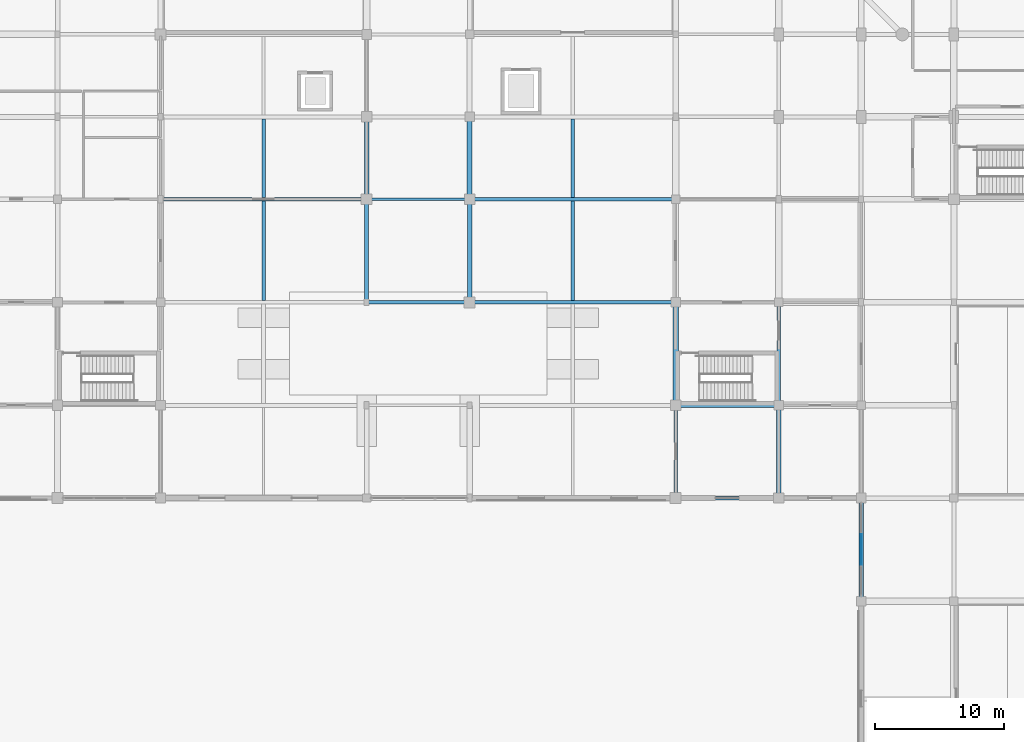
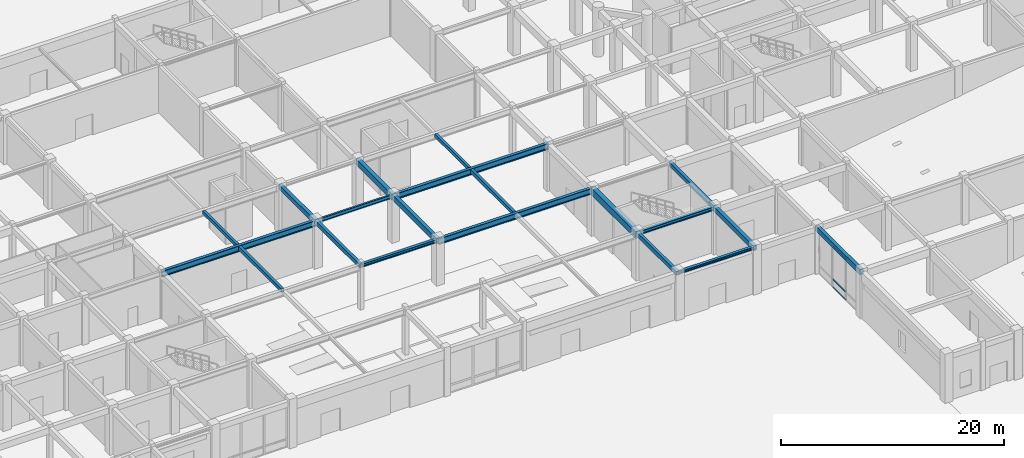
# One storey, part 11 of 40: 20 beams, 3 members, 1 element without a shape of its own.
"""IFC4 building model written with IfcOpenShell, lengths in metres."""

from ifc_helpers import new_model, si_unit, direction, frame, origin, origin_2d, place, context, subcontext, project, spatial, rectangle, i_section, extrude, material, material_profile, profile_set, type_object, element, aggregate, save


model = new_model("IFC4")

# Units and contexts
model_context = context("Model", 3, precision=1e-05, world=origin(), true_north=direction((0.0, 1.0)))
body_context = subcontext(model_context, "Body", "Model", "MODEL_VIEW")
ifc_project = project(units=[si_unit("LENGTHUNIT", "METRE"), si_unit("AREAUNIT", "SQUARE_METRE"), si_unit("VOLUMEUNIT", "CUBIC_METRE"), si_unit("PLANEANGLEUNIT", "RADIAN"), si_unit("MASSUNIT", "GRAM", prefix="KILO")], contexts=[model_context])

# Site, building, storey
site_placement = place(None, origin())
site = spatial("IfcSite", under=ifc_project, at=site_placement, CompositionType="ELEMENT")
building_placement = place(site_placement, origin())
building = spatial("IfcBuilding", under=site, at=building_placement, Name="Vellmiral Cinema and Media Centre", CompositionType="ELEMENT")
storey_placement = place(building_placement, origin())
storey = spatial("IfcBuildingStorey", under=building, at=storey_placement, Name="L00", CompositionType="ELEMENT", Elevation=0.0)

# Beams
ifc_material_1 = material(Name="Concrete C40/50", Category="concrete")
ifc_material_profile_1 = material_profile(ifc_material_1, rectangle(XDim=0.300048828125, YDim=0.449951171875, at=origin_2d()), Name="RC 300x450")
ifc_profile_set_1 = profile_set([ifc_material_profile_1], Name="Concrete C40/50")
beam_type_1 = type_object("IfcBeamType", Name="BM-RC-300x450", PredefinedType="BEAM", material=ifc_profile_set_1)
beam_1_placement = place(storey_placement, frame((78.39990234375, 51.199951171875, 4.85009765625), z_axis=(0.0, 1.0, 0.0), x_axis=(-1.0, 0.0, 0.0)))
element("IfcBeam", 1, at=beam_1_placement, inside=storey, type_object=beam_type_1, Name="Grid Beam L00-Y269", PredefinedType="BEAM", context=body_context, shape_type="SweptSolid", body=[
    extrude(rectangle(XDim=0.300048828125, YDim=0.449951171875, at=origin_2d()), origin(), (0.0, 0.0, 1.0), 8.0),
])
beam_2_placement = place(storey_placement, frame((102.39990234375, 36.0, 4.85009765625), z_axis=(0.0, 1.0, 0.0), x_axis=(-1.0, 0.0, 0.0)))
element("IfcBeam", 2, at=beam_2_placement, inside=storey, type_object=beam_type_1, Name="Grid Beam L00-Y282", PredefinedType="BEAM", context=body_context, shape_type="SweptSolid", body=[
    extrude(rectangle(XDim=0.300048828125, YDim=0.449951171875, at=origin_2d()), origin(), (0.0, 0.0, 1.0), 7.199951171875),
])
beam_3_placement = place(storey_placement, frame((110.39990234375, 43.199951171875, 4.85009765625), z_axis=(0.0, 1.0, 0.0), x_axis=(-1.0, 0.0, 0.0)))
element("IfcBeam", 3, at=beam_3_placement, inside=storey, type_object=beam_type_1, Name="Grid Beam L00-Y291", PredefinedType="BEAM", context=body_context, shape_type="SweptSolid", body=[
    extrude(rectangle(XDim=0.300048828125, YDim=0.449951171875, at=origin_2d()), origin(), (0.0, 0.0, 1.0), 8.0),
])
ifc_material_2 = material(Name="Concrete C40/50", Category="concrete")
ifc_material_profile_2 = material_profile(ifc_material_2, rectangle(XDim=0.35009765625, YDim=0.5, at=origin_2d()), Name="RC 350x500")
ifc_profile_set_2 = profile_set([ifc_material_profile_2], Name="Concrete C40/50")
beam_type_2 = type_object("IfcBeamType", Name="BM-RC-350x500", PredefinedType="BEAM", material=ifc_profile_set_2)
beam_4_placement = place(storey_placement, frame((78.39990234375, 59.199951171875, 4.824951171875), z_axis=(0.0, 1.0, 0.0), x_axis=(-1.0, 0.0, 0.0)))
element("IfcBeam", 4, at=beam_4_placement, inside=storey, type_object=beam_type_2, Name="Grid Beam L00-Y270", PredefinedType="BEAM", context=body_context, shape_type="SweptSolid", body=[
    extrude(rectangle(XDim=0.35009765625, YDim=0.5, at=origin_2d()), origin(), (0.0, 0.0, 1.0), 6.400146484375),
])
ifc_material_3 = material(Name="Concrete C40/50", Category="concrete")
ifc_material_profile_3 = material_profile(ifc_material_3, rectangle(XDim=0.35009765625, YDim=0.550048828125, at=origin_2d()), Name="RC 350x550")
ifc_profile_set_3 = profile_set([ifc_material_profile_3], Name="Concrete C40/50")
beam_type_3 = type_object("IfcBeamType", Name="BM-RC-350x550", PredefinedType="BEAM", material=ifc_profile_set_3)
beam_5_placement = place(storey_placement, frame((110.39990234375, 36.0, 4.800048828125), z_axis=(0.0, 1.0, 0.0), x_axis=(-1.0, 0.0, 0.0)))
element("IfcBeam", 5, at=beam_5_placement, inside=storey, type_object=beam_type_3, Name="Grid Beam L00-Y290", PredefinedType="BEAM", context=body_context, shape_type="SweptSolid", body=[
    extrude(rectangle(XDim=0.35009765625, YDim=0.550048828125, at=origin_2d()), origin(), (0.0, 0.0, 1.0), 7.199951171875),
])
ifc_material_4 = material(Name="Concrete C40/50", Category="concrete")
ifc_material_profile_4 = material_profile(ifc_material_4, rectangle(XDim=0.35009765625, YDim=0.60009765625, at=origin_2d()), Name="RC 350x600")
ifc_profile_set_4 = profile_set([ifc_material_profile_4], Name="Concrete C40/50")
beam_type_4 = type_object("IfcBeamType", Name="BM-RC-350x600", PredefinedType="BEAM", material=ifc_profile_set_4)
beam_6_placement = place(storey_placement, frame((86.39990234375, 51.199951171875, 4.77490234375), z_axis=(0.0, 1.0, 0.0), x_axis=(-1.0, 0.0, 0.0)))
element("IfcBeam", 6, at=beam_6_placement, inside=storey, type_object=beam_type_4, Name="Grid Beam L00-Y276", PredefinedType="BEAM", context=body_context, shape_type="SweptSolid", body=[
    extrude(rectangle(XDim=0.35009765625, YDim=0.60009765625, at=origin_2d()), origin(), (0.0, 0.0, 1.0), 8.0),
])
ifc_material_5 = material(Name="Concrete C40/50", Category="concrete")
ifc_material_profile_5 = material_profile(ifc_material_5, rectangle(XDim=0.39990234375, YDim=0.64990234375, at=origin_2d()), Name="RC 400x650")
ifc_profile_set_5 = profile_set([ifc_material_profile_5], Name="Concrete C40/50")
beam_type_5 = type_object("IfcBeamType", Name="BM-RC-400x650", PredefinedType="BEAM", material=ifc_profile_set_5)
beam_7_placement = place(storey_placement, frame((86.39990234375, 59.199951171875, 4.75), z_axis=(0.0, 1.0, 0.0), x_axis=(-1.0, 0.0, 0.0)))
element("IfcBeam", 7, at=beam_7_placement, inside=storey, type_object=beam_type_5, Name="Grid Beam L00-Y277", PredefinedType="BEAM", context=body_context, shape_type="SweptSolid", body=[
    extrude(rectangle(XDim=0.39990234375, YDim=0.64990234375, at=origin_2d()), origin(), (0.0, 0.0, 1.0), 6.400146484375),
])
ifc_material_6 = material(Name="Concrete C40/50", Category="concrete")
ifc_material_profile_6 = material_profile(ifc_material_6, rectangle(XDim=0.449951171875, YDim=0.75, at=origin_2d()), Name="RC 450x750")
ifc_profile_set_6 = profile_set([ifc_material_profile_6], Name="Concrete C40/50")
beam_type_6 = type_object("IfcBeamType", Name="BM-RC-450x750", PredefinedType="BEAM", material=ifc_profile_set_6)
beam_8_placement = place(storey_placement, frame((102.39990234375, 43.199951171875, 4.699951171875), z_axis=(0.0, 1.0, 0.0), x_axis=(-1.0, 0.0, 0.0)))
element("IfcBeam", 8, at=beam_8_placement, inside=storey, type_object=beam_type_6, Name="Grid Beam L00-Y283", PredefinedType="BEAM", context=body_context, shape_type="SweptSolid", body=[
    extrude(rectangle(XDim=0.449951171875, YDim=0.75, at=origin_2d()), origin(), (0.0, 0.0, 1.0), 8.0),
])

# Curtain wall, members
ifc_material_7 = material(Name="Thermally Broken Aluminium and Triple Glazing", Category="aluminium")
curtain_wall_type = type_object("IfcCurtainWallType", Name="CW-POD-GALLERY", PredefinedType="USERDEFINED", material=ifc_material_7)
curtain_wall_placement = place(storey_placement, origin())
curtain_wall = element("IfcCurtainWall", 9, at=curtain_wall_placement, inside=storey, type_object=curtain_wall_type, Name="Curtain Wall L00-B019", ObjectType="STICK CURTAIN WALL", PredefinedType="USERDEFINED")
ifc_material_8 = material(Name="Thermally Broken Anodised Aluminium", Category="aluminium")
ifc_material_profile_7 = material_profile(ifc_material_8, rectangle(XDim=0.070068359375, YDim=0.14990234375, at=origin_2d()), Name="MULL 70x150")
ifc_profile_set_7 = profile_set([ifc_material_profile_7], Name="Thermally Broken Anodised Aluminium")
member_type = type_object("IfcMemberType", Name="CWT-70x150", PredefinedType="USERDEFINED", material=ifc_profile_set_7)
member_1_placement = place(storey_placement, frame((116.800048828125, 33.17333984375, 0.034912109375), z_axis=(0.0, -1.0, 0.0), x_axis=(1.0, 0.0, 0.0)))
member_1 = element("IfcMember", 10, at=member_1_placement, type_object=member_type, Name="CW-04 transom 2.1", ObjectType="TRANSOM", PredefinedType="USERDEFINED", context=body_context, shape_type="SweptSolid", body=[
    extrude(rectangle(XDim=0.070068359375, YDim=0.14990234375, at=origin_2d()), origin(), (0.0, 0.0, 1.0), 2.3466796875),
])
member_2_placement = place(storey_placement, frame((116.800048828125, 33.17333984375, 0.89990234375), z_axis=(0.0, -1.0, 0.0), x_axis=(1.0, 0.0, 0.0)))
member_2 = element("IfcMember", 11, at=member_2_placement, type_object=member_type, Name="CW-04 transom 2.2", ObjectType="TRANSOM", PredefinedType="USERDEFINED", context=body_context, shape_type="SweptSolid", body=[
    extrude(rectangle(XDim=0.070068359375, YDim=0.14990234375, at=origin_2d()), origin(), (0.0, 0.0, 1.0), 2.3466796875),
])
member_3_placement = place(storey_placement, frame((116.800048828125, 33.17333984375, 4.445068359375), z_axis=(0.0, -1.0, 0.0), x_axis=(1.0, 0.0, 0.0)))
member_3 = element("IfcMember", 12, at=member_3_placement, type_object=member_type, Name="CW-04 transom 2.3", ObjectType="TRANSOM", PredefinedType="USERDEFINED", context=body_context, shape_type="SweptSolid", body=[
    extrude(rectangle(XDim=0.070068359375, YDim=0.14990234375, at=origin_2d()), origin(), (0.0, 0.0, 1.0), 2.3466796875),
])
aggregate(curtain_wall, [member_1, member_2, member_3])

# Beams
ifc_material_9 = material(Name="Concrete C40/50", Category="concrete")
ifc_material_profile_8 = material_profile(ifc_material_9, rectangle(XDim=0.260009765625, YDim=0.3798828125, at=origin_2d()), Name="RC 260x380")
ifc_profile_set_8 = profile_set([ifc_material_profile_8], Name="Concrete C40/50")
beam_type_7 = type_object("IfcBeamType", Name="JST-RC-260x380", PredefinedType="JOIST", material=ifc_profile_set_8)
for number, where, z_axis, x_axis, name in (
    (13, (70.39990234375, 59.35009765625, 4.885009765625), (0.0, 1.0, 0.0), (-1.0, 0.0, 0.0), "Secondary Floor Joist L00-014"),
    (14, (94.39990234375, 59.35009765625, 4.885009765625), (0.0, 1.0, 0.0), (-1.0, 0.0, 0.0), "Secondary Floor Joist L00-020"),
):
    element("IfcBeam", number, at=place(storey_placement, frame(where, z_axis=z_axis, x_axis=x_axis)), inside=storey, type_object=beam_type_7, Name=name, PredefinedType="JOIST", context=body_context, shape_type="SweptSolid", body=[
        extrude(rectangle(XDim=0.260009765625, YDim=0.3798828125, at=origin_2d()), origin(), (0.0, 0.0, 1.0), 6.099853515625),
    ])
ifc_material_10 = material(Name="Concrete C40/50", Category="concrete")
ifc_material_profile_9 = material_profile(ifc_material_10, rectangle(XDim=0.280029296875, YDim=0.39990234375, at=origin_2d()), Name="RC 280x400")
ifc_profile_set_9 = profile_set([ifc_material_profile_9], Name="Concrete C40/50")
beam_type_8 = type_object("IfcBeamType", Name="JST-RC-280x400", PredefinedType="JOIST", material=ifc_profile_set_9)
for number, where, z_axis, x_axis, name in (
    (15, (70.39990234375, 51.35009765625, 4.875), (0.0, 1.0, 0.0), (-1.0, 0.0, 0.0), "Secondary Floor Joist L00-013"),
    (16, (94.39990234375, 51.35009765625, 4.875), (0.0, 1.0, 0.0), (-1.0, 0.0, 0.0), "Secondary Floor Joist L00-019"),
):
    element("IfcBeam", number, at=place(storey_placement, frame(where, z_axis=z_axis, x_axis=x_axis)), inside=storey, type_object=beam_type_8, Name=name, PredefinedType="JOIST", context=body_context, shape_type="SweptSolid", body=[
        extrude(rectangle(XDim=0.280029296875, YDim=0.39990234375, at=origin_2d()), origin(), (0.0, 0.0, 1.0), 7.699951171875),
    ])
ifc_material_11 = material(Name="Steel S355", Category="steel")
ifc_material_profile_10 = material_profile(ifc_material_11, i_section(OverallWidth=0.300048828125, OverallDepth=0.35009765625, WebThickness=0.010009765625, FlangeThickness=0.017578125, FilletRadius=0.027099609375, at=origin_2d()), Name="HEA 360")
ifc_profile_set_10 = profile_set([ifc_material_profile_10], Name="Steel S355")
beam_type_9 = type_object("IfcBeamType", Name="SBM-HEA360", PredefinedType="BEAM", material=ifc_profile_set_10)
beam_9_placement = place(storey_placement, frame((78.39990234375, 51.199951171875, 4.89990234375), z_axis=(1.0, 0.0, 0.0), x_axis=(0.0, 1.0, 0.0)))
element("IfcBeam", 17, at=beam_9_placement, inside=storey, type_object=beam_type_9, Name="Grid Beam L00-X061", PredefinedType="BEAM", context=body_context, shape_type="SweptSolid", body=[
    extrude(i_section(OverallWidth=0.300048828125, OverallDepth=0.35009765625, WebThickness=0.010009765625, FlangeThickness=0.017578125, FilletRadius=0.027099609375, at=origin_2d()), origin(), (0.0, 0.0, 1.0), 8.0),
])
ifc_material_12 = material(Name="Steel S355", Category="steel")
ifc_material_profile_11 = material_profile(ifc_material_12, i_section(OverallWidth=0.300048828125, OverallDepth=0.389892578125, WebThickness=0.010986328125, FlangeThickness=0.01904296875, FilletRadius=0.027099609375, at=origin_2d()), Name="HEA 400")
ifc_profile_set_11 = profile_set([ifc_material_profile_11], Name="Steel S355")
beam_type_10 = type_object("IfcBeamType", Name="SBM-HEA400", PredefinedType="BEAM", material=ifc_profile_set_11)
beam_10_placement = place(storey_placement, frame((102.39990234375, 43.199951171875, 4.8798828125), z_axis=(1.0, 0.0, 0.0), x_axis=(0.0, 1.0, 0.0)))
element("IfcBeam", 18, at=beam_10_placement, inside=storey, type_object=beam_type_10, Name="Grid Beam L00-X052", PredefinedType="BEAM", context=body_context, shape_type="SweptSolid", body=[
    extrude(i_section(OverallWidth=0.300048828125, OverallDepth=0.389892578125, WebThickness=0.010986328125, FlangeThickness=0.01904296875, FilletRadius=0.027099609375, at=origin_2d()), origin(), (0.0, 0.0, 1.0), 8.0),
])
ifc_material_13 = material(Name="Steel S355", Category="steel")
ifc_material_profile_12 = material_profile(ifc_material_13, i_section(OverallWidth=0.300048828125, OverallDepth=0.300048828125, WebThickness=0.010986328125, FlangeThickness=0.01904296875, FilletRadius=0.027099609375, at=origin_2d()), Name="HEB 300")
ifc_profile_set_12 = profile_set([ifc_material_profile_12], Name="Steel S355")
beam_type_11 = type_object("IfcBeamType", Name="SBM-HEB300", PredefinedType="SPANDREL", material=ifc_profile_set_12)
beam_11_placement = place(storey_placement, frame((102.39990234375, 36.0, 4.925048828125), z_axis=(1.0, 0.0, 0.0), x_axis=(0.0, 1.0, 0.0)))
element("IfcBeam", 19, at=beam_11_placement, inside=storey, type_object=beam_type_11, Name="Grid Beam L00-X034", PredefinedType="SPANDREL", context=body_context, shape_type="SweptSolid", body=[
    extrude(i_section(OverallWidth=0.300048828125, OverallDepth=0.300048828125, WebThickness=0.010986328125, FlangeThickness=0.01904296875, FilletRadius=0.027099609375, at=origin_2d()), origin(), (0.0, 0.0, 1.0), 8.0),
])
ifc_material_14 = material(Name="Steel S355", Category="steel")
ifc_material_profile_13 = material_profile(ifc_material_14, i_section(OverallWidth=0.300048828125, OverallDepth=0.64990234375, WebThickness=0.01611328125, FlangeThickness=0.031005859375, FilletRadius=0.027099609375, at=origin_2d()), Name="HEB 650")
ifc_profile_set_13 = profile_set([ifc_material_profile_13], Name="Steel S355")
beam_type_12 = type_object("IfcBeamType", Name="SBM-HEB650", PredefinedType="BEAM", material=ifc_profile_set_13)
for number, where, z_axis, x_axis, name in (
    (20, (86.39990234375, 51.199951171875, 4.75), (1.0, 0.0, 0.0), (0.0, 1.0, 0.0), "Grid Beam L00-X062"),
    (21, (62.39990234375, 59.199951171875, 4.75), (1.0, 0.0, 0.0), (0.0, 1.0, 0.0), "Grid Beam L00-X074"),
    (22, (86.39990234375, 59.199951171875, 4.75), (1.0, 0.0, 0.0), (0.0, 1.0, 0.0), "Grid Beam L00-X076"),
):
    element("IfcBeam", number, at=place(storey_placement, frame(where, z_axis=z_axis, x_axis=x_axis)), inside=storey, type_object=beam_type_12, Name=name, PredefinedType="BEAM", context=body_context, shape_type="SweptSolid", body=[
        extrude(i_section(OverallWidth=0.300048828125, OverallDepth=0.64990234375, WebThickness=0.01611328125, FlangeThickness=0.031005859375, FilletRadius=0.027099609375, at=origin_2d()), origin(), (0.0, 0.0, 1.0), 16.0),
    ])
ifc_material_15 = material(Name="Steel S355", Category="steel")
ifc_material_profile_14 = material_profile(ifc_material_15, i_section(OverallWidth=0.179931640625, OverallDepth=0.39990234375, WebThickness=0.008544921875, FlangeThickness=0.013427734375, FilletRadius=0.02099609375, at=origin_2d()), Name="IPE 400")
ifc_profile_set_14 = profile_set([ifc_material_profile_14], Name="Steel S355")
beam_type_13 = type_object("IfcBeamType", Name="SBM-IPE400", PredefinedType="BEAM", material=ifc_profile_set_14)
beam_12_placement = place(storey_placement, frame((78.39990234375, 59.199951171875, 4.875), z_axis=(1.0, 0.0, 0.0), x_axis=(0.0, 1.0, 0.0)))
element("IfcBeam", 23, at=beam_12_placement, inside=storey, type_object=beam_type_13, Name="Grid Beam L00-X075", PredefinedType="BEAM", context=body_context, shape_type="SweptSolid", body=[
    extrude(i_section(OverallWidth=0.179931640625, OverallDepth=0.39990234375, WebThickness=0.008544921875, FlangeThickness=0.013427734375, FilletRadius=0.02099609375, at=origin_2d()), origin(), (0.0, 0.0, 1.0), 8.0),
])
ifc_material_16 = material(Name="Concrete C40/50", Category="concrete")
ifc_material_profile_15 = material_profile(ifc_material_16, rectangle(XDim=0.35009765625, YDim=0.56005859375, at=origin_2d()), Name="RC 350x560")
ifc_profile_set_15 = profile_set([ifc_material_profile_15], Name="Concrete C40/50")
beam_type_14 = type_object("IfcBeamType", Name="SPD-RC-350x560", PredefinedType="SPANDREL", material=ifc_profile_set_15)
beam_13_placement = place(storey_placement, frame((116.800048828125, 28.0, 4.794921875), z_axis=(0.0, 1.0, 0.0), x_axis=(-1.0, 0.0, 0.0)))
element("IfcBeam", 24, at=beam_13_placement, inside=storey, type_object=beam_type_14, Name="Grid Beam L00-Y301", PredefinedType="SPANDREL", context=body_context, shape_type="SweptSolid", body=[
    extrude(rectangle(XDim=0.35009765625, YDim=0.56005859375, at=origin_2d()), origin(), (0.0, 0.0, 1.0), 8.0),
])

save(model, "model.ifc")
